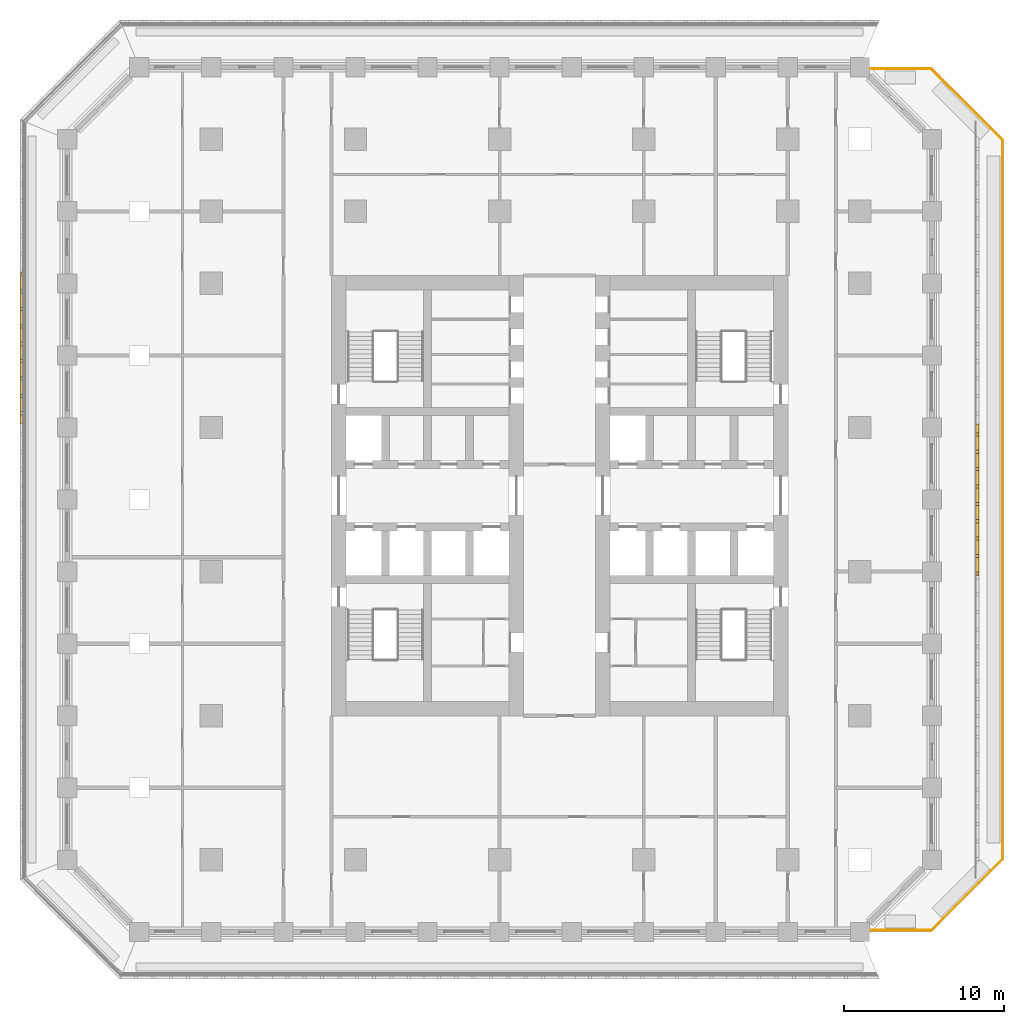
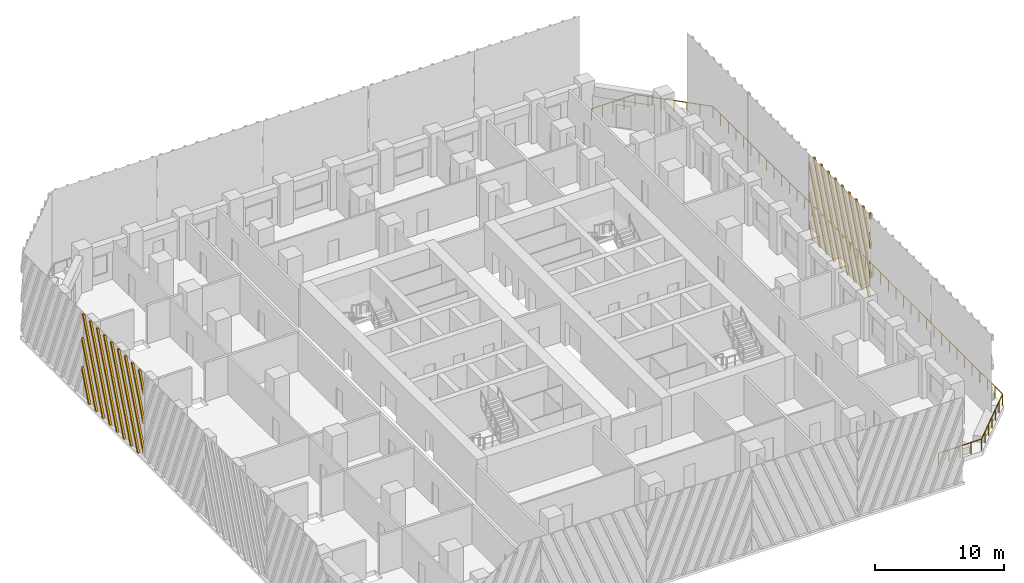
# One storey, part 14 of 19: 2 shading devices, 1 railing.
"""IFC4 building model written with IfcOpenShell, lengths in metres."""

from ifc_helpers import new_model, si_unit, direction, frame, origin, origin_2d, place, context, subcontext, project, spatial, polyline, circle, outline, extrude, source, transform, mapped, material, type_object, element, save


model = new_model("IFC4")

# Units and contexts
model_context = context("Model", 3, precision=1e-05, world=origin(), true_north=direction((0.0, 1.0)))
body_context = subcontext(model_context, "Body", "Model", "MODEL_VIEW")
ifc_project = project(units=[si_unit("LENGTHUNIT", "METRE"), si_unit("AREAUNIT", "SQUARE_METRE"), si_unit("VOLUMEUNIT", "CUBIC_METRE"), si_unit("PLANEANGLEUNIT", "RADIAN"), si_unit("MASSUNIT", "GRAM", prefix="KILO")], contexts=[model_context])

# Site, building, storey
site_placement = place(None, origin())
site = spatial("IfcSite", under=ifc_project, at=site_placement, CompositionType="ELEMENT")
building_placement = place(site_placement, origin())
building = spatial("IfcBuilding", under=site, at=building_placement, Name="Corbel Stack Research Tower", CompositionType="ELEMENT")
storey_placement = place(building_placement, frame((0.0, 0.0, 116.699951171875)))
storey = spatial("IfcBuildingStorey", under=building, at=storey_placement, Name="L26", CompositionType="ELEMENT", Elevation=116.699951171875)

# Railing
ifc_material_1 = material(Name="Powder-coated steel guard", Category="steel")
railing_type = type_object("IfcRailingType", Name="Steel and glass guard 1100", PredefinedType="GUARDRAIL", material=ifc_material_1)
railing_placement = place(storey_placement, frame((23.07421875, 31.39990234375, 0.0)))
element("IfcRailing", 1, at=railing_placement, inside=storey, type_object=railing_type, Name="Terrace guard L26", PredefinedType="GUARDRAIL", context=body_context, shape_type="SweptSolid", body=[
    extrude(circle(Radius=0.02392578125, at=origin_2d()), frame((0.0, 0.0, 1.076171875), z_axis=(1.0, 0.0, 0.0), x_axis=(0.0, 1.0, 0.0)), (0.0, 0.0, 1.0), 3.88427734375),
    extrude(circle(Radius=0.02392578125, at=origin_2d()), frame((3.88427734375, 0.0, 1.076171875), z_axis=(0.707106781187, -0.707106781187, 0.0), x_axis=(0.707106781187, 0.707106781187, 0.0)), (0.0, 0.0, 1.0), 6.281005859375),
    extrude(circle(Radius=0.02392578125, at=origin_2d()), frame((8.32568359375, -4.44140625, 1.076171875), z_axis=(0.0, -1.0, 0.0), x_axis=(1.0, 0.0, 0.0)), (0.0, 0.0, 1.0), 44.9169921875),
    extrude(circle(Radius=0.02392578125, at=origin_2d()), frame((8.32568359375, -49.3583984375, 1.076171875), z_axis=(-0.707106781187, -0.707106781187, 0.0), x_axis=(0.707106781187, -0.707106781187, 0.0)), (0.0, 0.0, 1.0), 6.281005859375),
    extrude(circle(Radius=0.02392578125, at=origin_2d()), frame((3.88427734375, -53.7998046875, 1.076171875), z_axis=(-1.0, 0.0, 0.0), x_axis=(0.0, -1.0, 0.0)), (0.0, 0.0, 1.0), 3.88427734375),
    extrude(circle(Radius=0.02099609375, at=origin_2d()), origin(), (0.0, 0.0, 1.0), 1.052001953125),
    extrude(circle(Radius=0.02099609375, at=origin_2d()), frame((0.97119140625, 0.0, 0.0)), (0.0, 0.0, 1.0), 1.052001953125),
    extrude(circle(Radius=0.02099609375, at=origin_2d()), frame((1.942138671875, 0.0, 0.0)), (0.0, 0.0, 1.0), 1.052001953125),
    extrude(circle(Radius=0.02099609375, at=origin_2d()), frame((2.9130859375, 0.0, 0.0)), (0.0, 0.0, 1.0), 1.052001953125),
    extrude(circle(Radius=0.02099609375, at=origin_2d()), frame((3.88427734375, 0.0, 0.0)), (0.0, 0.0, 1.0), 1.052001953125),
    extrude(circle(Radius=0.02099609375, at=origin_2d()), frame((4.62451171875, -0.740234375, 0.0)), (0.0, 0.0, 1.0), 1.052001953125),
    extrude(circle(Radius=0.02099609375, at=origin_2d()), frame((5.36474609375, -1.48046875, 0.0)), (0.0, 0.0, 1.0), 1.052001953125),
    extrude(circle(Radius=0.02099609375, at=origin_2d()), frame((6.10498046875, -2.220703125, 0.0)), (0.0, 0.0, 1.0), 1.052001953125),
    extrude(circle(Radius=0.02099609375, at=origin_2d()), frame((6.84521484375, -2.9609375, 0.0)), (0.0, 0.0, 1.0), 1.052001953125),
    extrude(circle(Radius=0.02099609375, at=origin_2d()), frame((7.58544921875, -3.701171875, 0.0)), (0.0, 0.0, 1.0), 1.052001953125),
    extrude(circle(Radius=0.02099609375, at=origin_2d()), frame((8.32568359375, -4.44140625, 0.0)), (0.0, 0.0, 1.0), 1.052001953125),
    extrude(circle(Radius=0.02099609375, at=origin_2d()), frame((8.32568359375, -5.62353515625, 0.0)), (0.0, 0.0, 1.0), 1.052001953125),
    extrude(circle(Radius=0.02099609375, at=origin_2d()), frame((8.32568359375, -6.805419921875, 0.0)), (0.0, 0.0, 1.0), 1.052001953125),
    extrude(circle(Radius=0.02099609375, at=origin_2d()), frame((8.32568359375, -7.987548828125, 0.0)), (0.0, 0.0, 1.0), 1.052001953125),
    extrude(circle(Radius=0.02099609375, at=origin_2d()), frame((8.32568359375, -9.16943359375, 0.0)), (0.0, 0.0, 1.0), 1.052001953125),
    extrude(circle(Radius=0.02099609375, at=origin_2d()), frame((8.32568359375, -10.3515625, 0.0)), (0.0, 0.0, 1.0), 1.052001953125),
    extrude(circle(Radius=0.02099609375, at=origin_2d()), frame((8.32568359375, -11.533447265625, 0.0)), (0.0, 0.0, 1.0), 1.052001953125),
    extrude(circle(Radius=0.02099609375, at=origin_2d()), frame((8.32568359375, -12.715576171875, 0.0)), (0.0, 0.0, 1.0), 1.052001953125),
    extrude(circle(Radius=0.02099609375, at=origin_2d()), frame((8.32568359375, -13.897705078125, 0.0)), (0.0, 0.0, 1.0), 1.052001953125),
    extrude(circle(Radius=0.02099609375, at=origin_2d()), frame((8.32568359375, -15.07958984375, 0.0)), (0.0, 0.0, 1.0), 1.052001953125),
    extrude(circle(Radius=0.02099609375, at=origin_2d()), frame((8.32568359375, -16.26171875, 0.0)), (0.0, 0.0, 1.0), 1.052001953125),
    extrude(circle(Radius=0.02099609375, at=origin_2d()), frame((8.32568359375, -17.443603515625, 0.0)), (0.0, 0.0, 1.0), 1.052001953125),
    extrude(circle(Radius=0.02099609375, at=origin_2d()), frame((8.32568359375, -18.625732421875, 0.0)), (0.0, 0.0, 1.0), 1.052001953125),
    extrude(circle(Radius=0.02099609375, at=origin_2d()), frame((8.32568359375, -19.807861328125, 0.0)), (0.0, 0.0, 1.0), 1.052001953125),
    extrude(circle(Radius=0.02099609375, at=origin_2d()), frame((8.32568359375, -20.98974609375, 0.0)), (0.0, 0.0, 1.0), 1.052001953125),
    extrude(circle(Radius=0.02099609375, at=origin_2d()), frame((8.32568359375, -22.171875, 0.0)), (0.0, 0.0, 1.0), 1.052001953125),
    extrude(circle(Radius=0.02099609375, at=origin_2d()), frame((8.32568359375, -23.353759765625, 0.0)), (0.0, 0.0, 1.0), 1.052001953125),
    extrude(circle(Radius=0.02099609375, at=origin_2d()), frame((8.32568359375, -24.535888671875, 0.0)), (0.0, 0.0, 1.0), 1.052001953125),
    extrude(circle(Radius=0.02099609375, at=origin_2d()), frame((8.32568359375, -25.7177734375, 0.0)), (0.0, 0.0, 1.0), 1.052001953125),
    extrude(circle(Radius=0.02099609375, at=origin_2d()), frame((8.32568359375, -26.89990234375, 0.0)), (0.0, 0.0, 1.0), 1.052001953125),
    extrude(circle(Radius=0.02099609375, at=origin_2d()), frame((8.32568359375, -28.08203125, 0.0)), (0.0, 0.0, 1.0), 1.052001953125),
    extrude(circle(Radius=0.02099609375, at=origin_2d()), frame((8.32568359375, -29.263916015625, 0.0)), (0.0, 0.0, 1.0), 1.052001953125),
    extrude(circle(Radius=0.02099609375, at=origin_2d()), frame((8.32568359375, -30.446044921875, 0.0)), (0.0, 0.0, 1.0), 1.052001953125),
    extrude(circle(Radius=0.02099609375, at=origin_2d()), frame((8.32568359375, -31.6279296875, 0.0)), (0.0, 0.0, 1.0), 1.052001953125),
    extrude(circle(Radius=0.02099609375, at=origin_2d()), frame((8.32568359375, -32.81005859375, 0.0)), (0.0, 0.0, 1.0), 1.052001953125),
    extrude(circle(Radius=0.02099609375, at=origin_2d()), frame((8.32568359375, -33.991943359375, 0.0)), (0.0, 0.0, 1.0), 1.052001953125),
    extrude(circle(Radius=0.02099609375, at=origin_2d()), frame((8.32568359375, -35.174072265625, 0.0)), (0.0, 0.0, 1.0), 1.052001953125),
    extrude(circle(Radius=0.02099609375, at=origin_2d()), frame((8.32568359375, -36.356201171875, 0.0)), (0.0, 0.0, 1.0), 1.052001953125),
    extrude(circle(Radius=0.02099609375, at=origin_2d()), frame((8.32568359375, -37.5380859375, 0.0)), (0.0, 0.0, 1.0), 1.052001953125),
    extrude(circle(Radius=0.02099609375, at=origin_2d()), frame((8.32568359375, -38.72021484375, 0.0)), (0.0, 0.0, 1.0), 1.052001953125),
    extrude(circle(Radius=0.02099609375, at=origin_2d()), frame((8.32568359375, -39.902099609375, 0.0)), (0.0, 0.0, 1.0), 1.052001953125),
    extrude(circle(Radius=0.02099609375, at=origin_2d()), frame((8.32568359375, -41.084228515625, 0.0)), (0.0, 0.0, 1.0), 1.052001953125),
    extrude(circle(Radius=0.02099609375, at=origin_2d()), frame((8.32568359375, -42.266357421875, 0.0)), (0.0, 0.0, 1.0), 1.052001953125),
    extrude(circle(Radius=0.02099609375, at=origin_2d()), frame((8.32568359375, -43.4482421875, 0.0)), (0.0, 0.0, 1.0), 1.052001953125),
    extrude(circle(Radius=0.02099609375, at=origin_2d()), frame((8.32568359375, -44.63037109375, 0.0)), (0.0, 0.0, 1.0), 1.052001953125),
    extrude(circle(Radius=0.02099609375, at=origin_2d()), frame((8.32568359375, -45.812255859375, 0.0)), (0.0, 0.0, 1.0), 1.052001953125),
    extrude(circle(Radius=0.02099609375, at=origin_2d()), frame((8.32568359375, -46.994384765625, 0.0)), (0.0, 0.0, 1.0), 1.052001953125),
    extrude(circle(Radius=0.02099609375, at=origin_2d()), frame((8.32568359375, -48.17626953125, 0.0)), (0.0, 0.0, 1.0), 1.052001953125),
    extrude(circle(Radius=0.02099609375, at=origin_2d()), frame((8.32568359375, -49.3583984375, 0.0)), (0.0, 0.0, 1.0), 1.052001953125),
    extrude(circle(Radius=0.02099609375, at=origin_2d()), frame((7.58544921875, -50.0986328125, 0.0)), (0.0, 0.0, 1.0), 1.052001953125),
    extrude(circle(Radius=0.02099609375, at=origin_2d()), frame((6.84521484375, -50.8388671875, 0.0)), (0.0, 0.0, 1.0), 1.052001953125),
    extrude(circle(Radius=0.02099609375, at=origin_2d()), frame((6.10498046875, -51.5791015625, 0.0)), (0.0, 0.0, 1.0), 1.052001953125),
    extrude(circle(Radius=0.02099609375, at=origin_2d()), frame((5.36474609375, -52.3193359375, 0.0)), (0.0, 0.0, 1.0), 1.052001953125),
    extrude(circle(Radius=0.02099609375, at=origin_2d()), frame((4.62451171875, -53.0595703125, 0.0)), (0.0, 0.0, 1.0), 1.052001953125),
    extrude(circle(Radius=0.02099609375, at=origin_2d()), frame((3.88427734375, -53.7998046875, 0.0)), (0.0, 0.0, 1.0), 1.052001953125),
    extrude(circle(Radius=0.02099609375, at=origin_2d()), frame((2.9130859375, -53.7998046875, 0.0)), (0.0, 0.0, 1.0), 1.052001953125),
    extrude(circle(Radius=0.02099609375, at=origin_2d()), frame((1.942138671875, -53.7998046875, 0.0)), (0.0, 0.0, 1.0), 1.052001953125),
    extrude(circle(Radius=0.02099609375, at=origin_2d()), frame((0.97119140625, -53.7998046875, 0.0)), (0.0, 0.0, 1.0), 1.052001953125),
    extrude(circle(Radius=0.02099609375, at=origin_2d()), frame((0.0, -53.7998046875, 0.0)), (0.0, 0.0, 1.0), 1.052001953125),
])

# Shading devices
ifc_material_2 = material(Name="Precast terracotta", Category="masonry")
shading_device_type = type_object("IfcShadingDeviceType", Name="Terracotta screen panel", PredefinedType="USERDEFINED", material=ifc_material_2)
shared_shape_1 = source(origin(), body_context, "Body", "SweptSolid", [
    extrude(outline(polyline([(0.217041015625, 7.949951171875), (0.027099609375, 7.949951171875), (0.0, 7.880859375), (0.0, 7.394287109375), (0.217041015625, 7.949951171875)])), frame((0.0, 0.0, 0.0), z_axis=(0.0, -1.0, 0.0), x_axis=(1.0, 0.0, 0.0)), (0.0, 0.0, 1.0), 0.179931640625),
    extrude(outline(polyline([(1.3017578125, 7.949951171875), (1.11181640625, 7.949951171875), (0.0, 5.103515625), (0.0, 4.616943359375), (1.3017578125, 7.949951171875)])), frame((0.0, 0.0, 0.0), z_axis=(0.0, -1.0, 0.0), x_axis=(1.0, 0.0, 0.0)), (0.0, 0.0, 1.0), 0.179931640625),
    extrude(outline(polyline([(2.386474609375, 7.949951171875), (2.1962890625, 7.949951171875), (0.0, 2.326171875), (0.0, 1.839599609375), (2.386474609375, 7.949951171875)])), frame((0.0, 0.0, 0.0), z_axis=(0.0, -1.0, 0.0), x_axis=(1.0, 0.0, 0.0)), (0.0, 0.0, 1.0), 0.179931640625),
    extrude(outline(polyline([(0.3662109375, 0.0), (3.470947265625, 7.949951171875), (3.281005859375, 7.949951171875), (0.17626953125, 0.0), (0.3662109375, 0.0)])), frame((0.0, 0.0, 0.0), z_axis=(0.0, -1.0, 0.0), x_axis=(1.0, 0.0, 0.0)), (0.0, 0.0, 1.0), 0.179931640625),
    extrude(outline(polyline([(1.45068359375, 0.0), (4.5556640625, 7.949951171875), (4.36572265625, 7.949951171875), (1.2607421875, 0.0), (1.45068359375, 0.0)])), frame((0.0, 0.0, 0.0), z_axis=(0.0, -1.0, 0.0), x_axis=(1.0, 0.0, 0.0)), (0.0, 0.0, 1.0), 0.179931640625),
    extrude(outline(polyline([(2.535400390625, 0.0), (5.640380859375, 7.949951171875), (5.4501953125, 7.949951171875), (2.345458984375, 0.0), (2.535400390625, 0.0)])), frame((0.0, 0.0, 0.0), z_axis=(0.0, -1.0, 0.0), x_axis=(1.0, 0.0, 0.0)), (0.0, 0.0, 1.0), 0.179931640625),
    extrude(outline(polyline([(3.6201171875, 0.0), (6.72509765625, 7.949951171875), (6.534912109375, 7.949951171875), (3.43017578125, 0.0), (3.6201171875, 0.0)])), frame((0.0, 0.0, 0.0), z_axis=(0.0, -1.0, 0.0), x_axis=(1.0, 0.0, 0.0)), (0.0, 0.0, 1.0), 0.179931640625),
    extrude(outline(polyline([(4.704833984375, 0.0), (7.809814453125, 7.949951171875), (7.61962890625, 7.949951171875), (4.514892578125, 0.0), (4.704833984375, 0.0)])), frame((0.0, 0.0, 0.0), z_axis=(0.0, -1.0, 0.0), x_axis=(1.0, 0.0, 0.0)), (0.0, 0.0, 1.0), 0.179931640625),
    extrude(outline(polyline([(5.78955078125, 0.0), (8.894287109375, 7.949951171875), (8.704345703125, 7.949951171875), (5.599609375, 0.0), (5.78955078125, 0.0)])), frame((0.0, 0.0, 0.0), z_axis=(0.0, -1.0, 0.0), x_axis=(1.0, 0.0, 0.0)), (0.0, 0.0, 1.0), 0.179931640625),
    extrude(outline(polyline([(6.874267578125, 0.0), (9.45556640625, 6.60986328125), (9.45556640625, 7.096435546875), (6.68408203125, 0.0), (6.874267578125, 0.0)])), frame((0.0, 0.0, 0.0), z_axis=(0.0, -1.0, 0.0), x_axis=(1.0, 0.0, 0.0)), (0.0, 0.0, 1.0), 0.179931640625),
    extrude(outline(polyline([(7.958740234375, 0.0), (9.45556640625, 3.83251953125), (9.45556640625, 4.319091796875), (7.768798828125, 0.0), (7.958740234375, 0.0)])), frame((0.0, 0.0, 0.0), z_axis=(0.0, -1.0, 0.0), x_axis=(1.0, 0.0, 0.0)), (0.0, 0.0, 1.0), 0.179931640625),
    extrude(outline(polyline([(9.04345703125, 0.0), (9.45556640625, 1.055419921875), (9.45556640625, 1.541748046875), (8.853515625, 0.0), (9.04345703125, 0.0)])), frame((0.0, 0.0, 0.0), z_axis=(0.0, -1.0, 0.0), x_axis=(1.0, 0.0, 0.0)), (0.0, 0.0, 1.0), 0.179931640625),
])
shading_device_1_placement = place(storey_placement, frame((29.75, -0.227783203125, 0.0), z_axis=(0.0, 0.0, 1.0), x_axis=(0.0, 1.0, 0.0)))
element("IfcShadingDevice", 2, at=shading_device_1_placement, inside=storey, type_object=shading_device_type, Name="Terracotta screen L26 E3", ObjectType="SCREEN", PredefinedType="USERDEFINED", context=body_context, shape_type="MappedRepresentation", body=[
    mapped(shared_shape_1, transform((0.0, 0.0, 0.0))),
])
shared_shape_2 = source(origin(), body_context, "Body", "SweptSolid", [
    extrude(outline(polyline([(1.14453125, 0.0), (0.0, 2.930419921875), (0.0, 2.44384765625), (0.95458984375, 0.0), (1.14453125, 0.0)])), frame((0.0, 0.0, 0.0), z_axis=(0.0, -1.0, 0.0), x_axis=(1.0, 0.0, 0.0)), (0.0, 0.0, 1.0), 0.179931640625),
    extrude(outline(polyline([(2.22900390625, 0.0), (0.0, 5.707763671875), (0.0, 5.22119140625), (2.0390625, 0.0), (2.22900390625, 0.0)])), frame((0.0, 0.0, 0.0), z_axis=(0.0, -1.0, 0.0), x_axis=(1.0, 0.0, 0.0)), (0.0, 0.0, 1.0), 0.179931640625),
    extrude(outline(polyline([(3.313720703125, 0.0), (0.208984375, 7.949951171875), (0.01904296875, 7.949951171875), (3.123779296875, 0.0), (3.313720703125, 0.0)])), frame((0.0, 0.0, 0.0), z_axis=(0.0, -1.0, 0.0), x_axis=(1.0, 0.0, 0.0)), (0.0, 0.0, 1.0), 0.179931640625),
    extrude(outline(polyline([(4.3984375, 0.0), (1.293701171875, 7.949951171875), (1.103515625, 7.949951171875), (4.20849609375, 0.0), (4.3984375, 0.0)])), frame((0.0, 0.0, 0.0), z_axis=(0.0, -1.0, 0.0), x_axis=(1.0, 0.0, 0.0)), (0.0, 0.0, 1.0), 0.179931640625),
    extrude(outline(polyline([(5.483154296875, 0.0), (2.37841796875, 7.949951171875), (2.188232421875, 7.949951171875), (5.293212890625, 0.0), (5.483154296875, 0.0)])), frame((0.0, 0.0, 0.0), z_axis=(0.0, -1.0, 0.0), x_axis=(1.0, 0.0, 0.0)), (0.0, 0.0, 1.0), 0.179931640625),
    extrude(outline(polyline([(6.56787109375, 0.0), (3.462890625, 7.949951171875), (3.27294921875, 7.949951171875), (6.377685546875, 0.0), (6.56787109375, 0.0)])), frame((0.0, 0.0, 0.0), z_axis=(0.0, -1.0, 0.0), x_axis=(1.0, 0.0, 0.0)), (0.0, 0.0, 1.0), 0.179931640625),
    extrude(outline(polyline([(7.652587890625, 0.0), (4.547607421875, 7.949951171875), (4.357666015625, 7.949951171875), (7.46240234375, 0.0), (7.652587890625, 0.0)])), frame((0.0, 0.0, 0.0), z_axis=(0.0, -1.0, 0.0), x_axis=(1.0, 0.0, 0.0)), (0.0, 0.0, 1.0), 0.179931640625),
    extrude(outline(polyline([(8.737060546875, 0.0), (5.63232421875, 7.949951171875), (5.4423828125, 7.949951171875), (8.547119140625, 0.0), (8.737060546875, 0.0)])), frame((0.0, 0.0, 0.0), z_axis=(0.0, -1.0, 0.0), x_axis=(1.0, 0.0, 0.0)), (0.0, 0.0, 1.0), 0.179931640625),
    extrude(outline(polyline([(6.716796875, 7.949951171875), (6.52685546875, 7.949951171875), (9.45556640625, 0.451171875), (9.45556640625, 0.9375), (6.716796875, 7.949951171875)])), frame((0.0, 0.0, 0.0), z_axis=(0.0, -1.0, 0.0), x_axis=(1.0, 0.0, 0.0)), (0.0, 0.0, 1.0), 0.179931640625),
    extrude(outline(polyline([(7.801513671875, 7.949951171875), (7.611572265625, 7.949951171875), (9.45556640625, 3.228515625), (9.45556640625, 3.71484375), (7.801513671875, 7.949951171875)])), frame((0.0, 0.0, 0.0), z_axis=(0.0, -1.0, 0.0), x_axis=(1.0, 0.0, 0.0)), (0.0, 0.0, 1.0), 0.179931640625),
    extrude(outline(polyline([(8.88623046875, 7.949951171875), (8.6962890625, 7.949951171875), (9.45556640625, 6.005615234375), (9.45556640625, 6.4921875), (8.88623046875, 7.949951171875)])), frame((0.0, 0.0, 0.0), z_axis=(0.0, -1.0, 0.0), x_axis=(1.0, 0.0, 0.0)), (0.0, 0.0, 1.0), 0.179931640625),
])
shading_device_2_placement = place(storey_placement, frame((-29.75, 18.68359375, 0.0), z_axis=(0.0, 0.0, 1.0), x_axis=(0.0, -1.0, 0.0)))
element("IfcShadingDevice", 3, at=shading_device_2_placement, inside=storey, type_object=shading_device_type, Name="Terracotta screen L26 W2", ObjectType="SCREEN", PredefinedType="USERDEFINED", context=body_context, shape_type="MappedRepresentation", body=[
    mapped(shared_shape_2, transform((0.0, 0.0, 0.0))),
])

save(model, "model.ifc")
